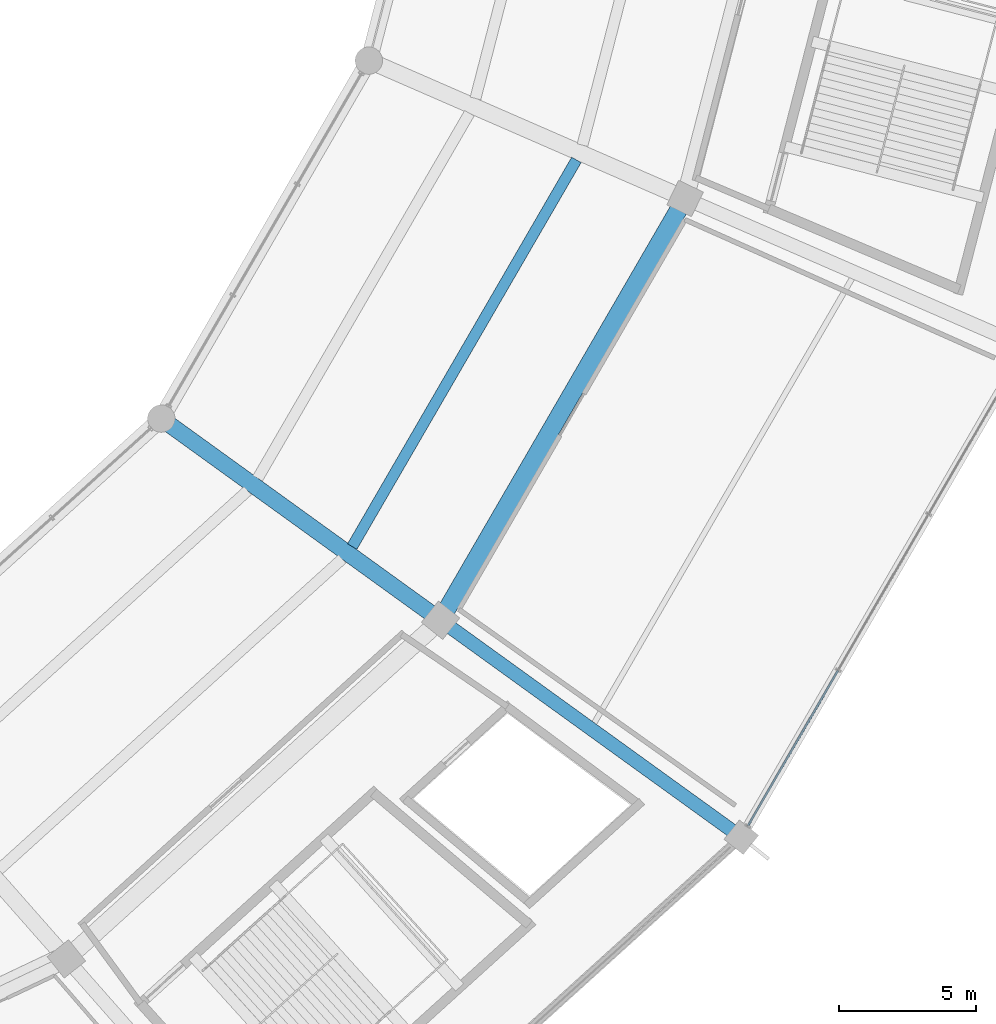
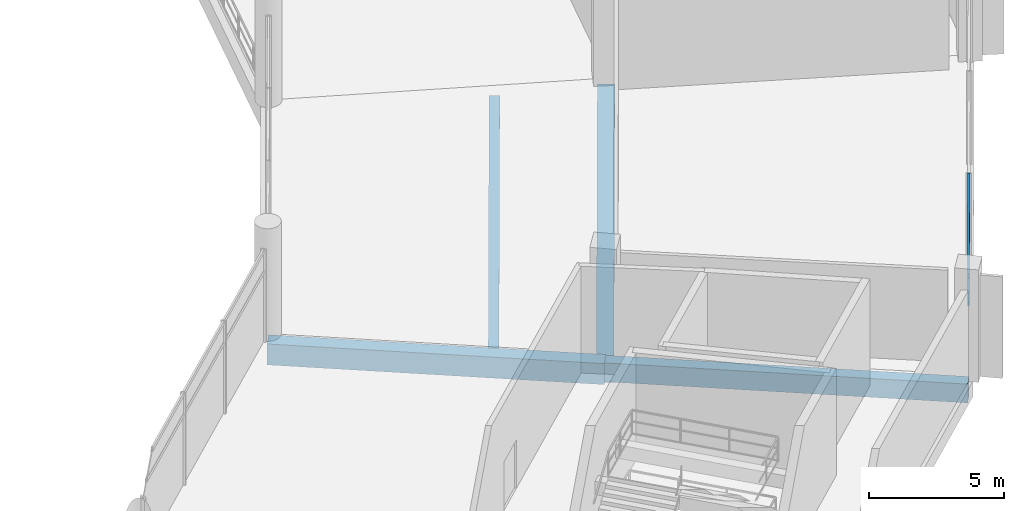
# One storey, part 70 of 184: 4 beams, 2 members, 1 element without a shape of its own.
"""IFC4 building model written with IfcOpenShell, lengths in metres."""

from ifc_helpers import new_model, si_unit, direction, frame, origin, origin_2d, place, context, subcontext, project, spatial, rectangle, hollow_rectangle, extrude, material, layer, layer_set, material_profile, profile_set, type_object, element, aggregate, save


model = new_model("IFC4")

# Units and contexts
model_context = context("Model", 3, precision=1e-05, world=origin(), true_north=direction((0.0, 1.0)))
body_context = subcontext(model_context, "Body", "Model", "MODEL_VIEW")
ifc_project = project(units=[si_unit("LENGTHUNIT", "METRE"), si_unit("AREAUNIT", "SQUARE_METRE"), si_unit("VOLUMEUNIT", "CUBIC_METRE"), si_unit("PLANEANGLEUNIT", "RADIAN"), si_unit("MASSUNIT", "GRAM", prefix="KILO")], contexts=[model_context])

# Site, building, storey
site_placement = place(None, origin())
site = spatial("IfcSite", under=ifc_project, at=site_placement, CompositionType="ELEMENT")
building_placement = place(site_placement, origin())
building = spatial("IfcBuilding", under=site, at=building_placement, Name="Kazemori Nagisa Stadium", CompositionType="ELEMENT")
storey_placement = place(building_placement, frame((0.0, 0.0, 10.5400390625)))
storey = spatial("IfcBuildingStorey", under=building, at=storey_placement, Name="L02", CompositionType="ELEMENT", Elevation=10.5400390625)

# Beams
ifc_material_1 = material(Name="Concrete C40/50 (Fc42)", Category="concrete")
ifc_material_profile_1 = material_profile(ifc_material_1, rectangle(XDim=0.5, YDim=0.85009765625, at=origin_2d()), Name="RC-BM-500x850")
ifc_profile_set_1 = profile_set([ifc_material_profile_1], Name="Concrete C40/50 (Fc42)")
beam_type_1 = type_object("IfcBeamType", Name="Beam_BG-RC500X850", PredefinedType="BEAM", material=ifc_profile_set_1)
beam_1_placement = place(storey_placement, frame((190.506103515625, 53.265869140625, -0.68505859375), z_axis=(0.810787509935, -0.585340596349, 0.0), x_axis=(0.585340596349, 0.810787509935, 0.0)))
element("IfcBeam", 1, at=beam_1_placement, inside=storey, type_object=beam_type_1, Name="Radial girder BG-RC500X850 L02 R2-R3-26", PredefinedType="BEAM", context=body_context, shape_type="SweptSolid", body=[
    extrude(rectangle(XDim=0.5, YDim=0.85009765625, at=origin_2d()), origin(), (0.0, 0.0, 1.0), 13.5537109375),
])
ifc_material_profile_2 = material_profile(ifc_material_1, rectangle(XDim=0.60009765625, YDim=0.949951171875, at=origin_2d()), Name="RC-BM-600x950")
ifc_profile_set_2 = profile_set([ifc_material_profile_2], Name="Concrete C40/50 (Fc42)")
beam_type_2 = type_object("IfcBeamType", Name="Beam_BG-RC600X950", PredefinedType="BEAM", material=ifc_profile_set_2)
beam_2_placement = place(storey_placement, frame((180.301513671875, 60.632568359375, -0.735107421875), z_axis=(0.810802996314, -0.585319144714, 0.0), x_axis=(0.585319144714, 0.810802996314, 0.0)))
element("IfcBeam", 2, at=beam_2_placement, inside=storey, type_object=beam_type_2, Name="Radial girder BG-RC600X950 L02 R1-R2-26", PredefinedType="BEAM", context=body_context, shape_type="SweptSolid", body=[
    extrude(rectangle(XDim=0.60009765625, YDim=0.949951171875, at=origin_2d()), origin(), (0.0, 0.0, 1.0), 12.585693359375),
])
ifc_material_profile_3 = material_profile(ifc_material_1, rectangle(XDim=0.64990234375, YDim=1.050048828125, at=origin_2d()), Name="RC-BM-650x1050")
ifc_profile_set_3 = profile_set([ifc_material_profile_3], Name="Concrete C40/50 (Fc42)")
beam_type_3 = type_object("IfcBeamType", Name="Beam_BG-RC650X1050", PredefinedType="BEAM", material=ifc_profile_set_3)
beam_3_placement = place(storey_placement, frame((190.506103515625, 53.265869140625, -0.78515625), z_axis=(0.501606704589, 0.865095783085, 0.0), x_axis=(-0.865095783085, 0.501606704589, 0.0)))
element("IfcBeam", 3, at=beam_3_placement, inside=storey, type_object=beam_type_3, Name="Ring girder BG-RC650X1050 L02 R2-26", PredefinedType="BEAM", context=body_context, shape_type="SweptSolid", body=[
    extrude(rectangle(XDim=0.64990234375, YDim=1.050048828125, at=origin_2d()), origin(), (0.0, 0.0, 1.0), 17.8125),
])
ifc_material_profile_4 = material_profile(ifc_material_1, rectangle(XDim=0.39990234375, YDim=0.64990234375, at=origin_2d()), Name="RC-BM-400x650")
ifc_profile_set_4 = profile_set([ifc_material_profile_4], Name="Concrete C40/50 (Fc42)")
beam_type_4 = type_object("IfcBeamType", Name="Beam_BJ-RC400X650", PredefinedType="JOIST", material=ifc_profile_set_4)
beam_4_placement = place(storey_placement, frame((187.27880859375, 55.957763671875, -0.5849609375), z_axis=(0.501604213872, 0.865097227268, 0.0), x_axis=(-0.865097227268, 0.501604213872, 0.0)))
element("IfcBeam", 4, at=beam_4_placement, inside=storey, type_object=beam_type_4, Name="Concourse joist BJ-RC400X650 L02 B26-2", PredefinedType="JOIST", context=body_context, shape_type="SweptSolid", body=[
    extrude(rectangle(XDim=0.39990234375, YDim=0.64990234375, at=origin_2d()), origin(), (0.0, 0.0, 1.0), 16.331787109375),
])

# Curtain wall, members
ifc_material_2 = material(Name="Anodised aluminium 6063-T5", Category="aluminium")
ifc_layer = layer(ifc_material_2, 0.2099609375, Name="Anodised aluminium 6063-T5", Category="aluminium")
ifc_layer_set = layer_set([ifc_layer], Name="Anodised aluminium 6063-T5")
curtain_wall_type = type_object("IfcCurtainWallType", Name="CW_L02R3_99", PredefinedType="USERDEFINED", material=ifc_layer_set)
curtain_wall_placement = place(storey_placement, origin())
curtain_wall = element("IfcCurtainWall", 5, at=curtain_wall_placement, inside=storey, type_object=curtain_wall_type, Name="Unitised curtain wall CW-L02R3-99 L02", ObjectType="UNITISED CURTAIN WALL", PredefinedType="USERDEFINED")
ifc_material_3 = material(Name="Aluminium 6063-T5 anodised", Category="aluminium")
ifc_material_profile_5 = material_profile(ifc_material_3, hollow_rectangle(XDim=0.080078125, YDim=0.159912109375, WallThickness=0.00390625, at=origin_2d()), Name="ALU-TRAN-80x160x4")
ifc_profile_set_5 = profile_set([ifc_material_profile_5], Name="Aluminium 6063-T5 anodised")
member_type = type_object("IfcMemberType", Name="Transom_T02", PredefinedType="USERDEFINED", material=ifc_profile_set_5)
member_1_placement = place(storey_placement, frame((201.74365234375, 45.760498046875, 2.84912109375), z_axis=(0.501590295943, 0.865105297069, 0.0), x_axis=(-0.865105297069, 0.501590295943, 0.0)))
member_1 = element("IfcMember", 6, at=member_1_placement, type_object=member_type, Name="Curtain wall transom CW-L02R3-99-T1-mid", ObjectType="TRANSOM", PredefinedType="USERDEFINED", context=body_context, shape_type="SweptSolid", body=[
    extrude(hollow_rectangle(XDim=0.080078125, YDim=0.159912109375, WallThickness=0.00390625, at=origin_2d()), origin(), (0.0, 0.0, 1.0), 6.547607421875),
])
member_2_placement = place(storey_placement, frame((201.74365234375, 45.760498046875, 4.119873046875), z_axis=(0.501590295943, 0.865105297069, 0.0), x_axis=(-0.865105297069, 0.501590295943, 0.0)))
member_2 = element("IfcMember", 7, at=member_2_placement, type_object=member_type, Name="Curtain wall transom CW-L02R3-99-T1-head", ObjectType="TRANSOM", PredefinedType="USERDEFINED", context=body_context, shape_type="SweptSolid", body=[
    extrude(hollow_rectangle(XDim=0.080078125, YDim=0.159912109375, WallThickness=0.00390625, at=origin_2d()), origin(), (0.0, 0.0, 1.0), 6.547607421875),
])
aggregate(curtain_wall, [member_1, member_2])

save(model, "model.ifc")
